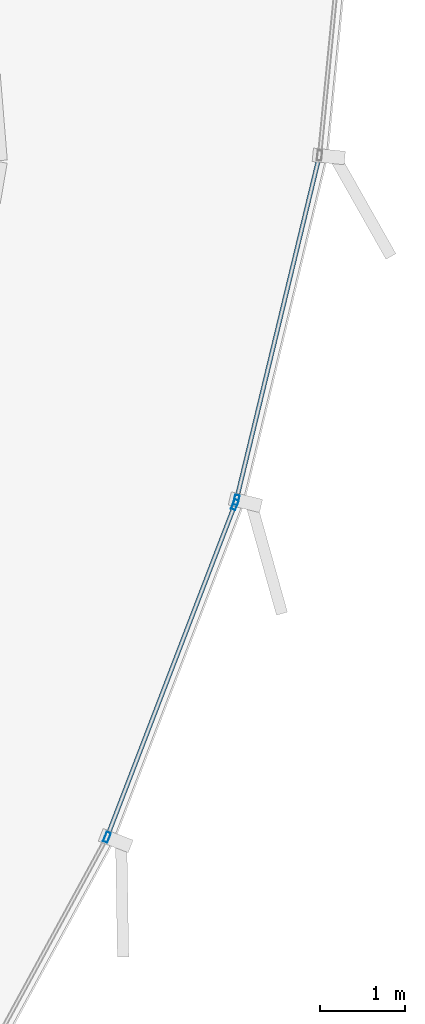
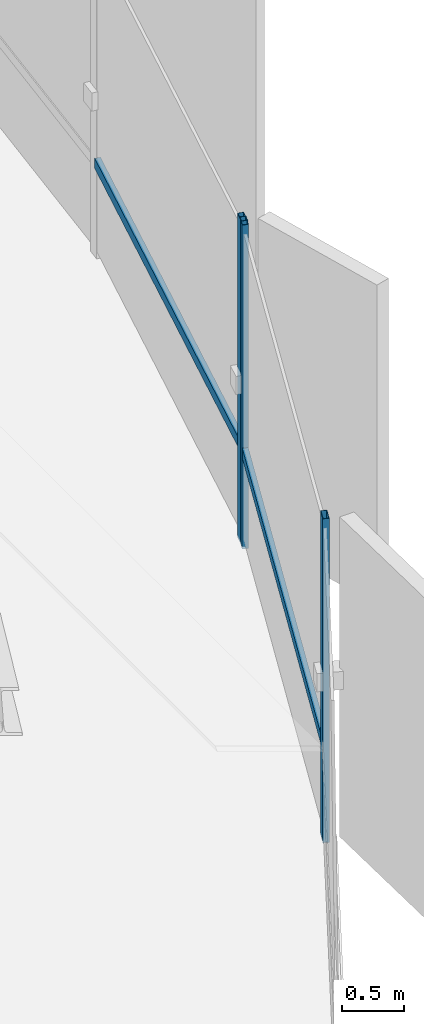
# One storey, part 15 of 33: 5 members, 2 elements without a shape of their own.
"""IFC4 building model written with IfcOpenShell, lengths in metres."""

from ifc_helpers import new_model, si_unit, direction, frame, origin, origin_2d, place, context, subcontext, project, spatial, hollow_rectangle, extrude, source, transform, mapped, material, layer, layer_set, material_profile, profile_set, type_object, element, aggregate, save


model = new_model("IFC4")

# Units and contexts
model_context = context("Model", 3, precision=1e-05, world=origin(), true_north=direction((0.0, 1.0)))
body_context = subcontext(model_context, "Body", "Model", "MODEL_VIEW")
ifc_project = project(units=[si_unit("LENGTHUNIT", "METRE"), si_unit("AREAUNIT", "SQUARE_METRE"), si_unit("VOLUMEUNIT", "CUBIC_METRE"), si_unit("PLANEANGLEUNIT", "RADIAN"), si_unit("MASSUNIT", "GRAM", prefix="KILO"), si_unit("THERMODYNAMICTEMPERATUREUNIT", "KELVIN")], contexts=[model_context])

# Site, building, storey
site_placement = place(None, origin())
site = spatial("IfcSite", under=ifc_project, at=site_placement, CompositionType="ELEMENT")
building_placement = place(site_placement, origin())
building = spatial("IfcBuilding", under=site, at=building_placement, Name="Kethvar Cultural Tower", CompositionType="ELEMENT")
storey_placement = place(building_placement, frame((0.0, 0.0, 235.300048828125)))
storey = spatial("IfcBuildingStorey", under=building, at=storey_placement, Name="L61", CompositionType="ELEMENT", Elevation=235.300048828125)

# Curtain wall, members
ifc_material = material(Name="Aluminium 6063-T6", Category="aluminium")
ifc_layer = layer(ifc_material, 0.179931640625, Name="Aluminium 6063-T6", Category="aluminium")
ifc_layer_set = layer_set([ifc_layer], Name="Aluminium 6063-T6 (180 mm)")
curtain_wall_type = type_object("IfcCurtainWallType", Name="CW-SYS-05-Z56", PredefinedType="NOTDEFINED", material=ifc_layer_set)
curtain_wall_1_placement = place(storey_placement, origin())
curtain_wall_1 = element("IfcCurtainWall", 1, at=curtain_wall_1_placement, inside=storey, type_object=curtain_wall_type, Name="L61 Curtain Wall Run 05", PredefinedType="NOTDEFINED")
ifc_material_profile_1 = material_profile(ifc_material, hollow_rectangle(XDim=0.054931640625, YDim=0.1201171875, WallThickness=0.00390625, at=origin_2d()), Name="Aluminium 6063-T6 — RHS120x55x4")
ifc_profile_set_1 = profile_set([ifc_material_profile_1], Name="Aluminium 6063-T6 — RHS120x55x4")
member_type_1 = type_object("IfcMemberType", Name="CW-SYS-05-Z56-MUL", PredefinedType="MULLION", material=ifc_profile_set_1)
shared_shape_1 = source(origin(), body_context, "Body", "SweptSolid", [
    extrude(hollow_rectangle(XDim=0.054931640625, YDim=0.1201171875, WallThickness=0.00390625, at=origin_2d()), origin(), (0.0, 0.0, 1.0), 3.2099609375),
])
member_1_placement = place(storey_placement, frame((65.74755859375, 22.35693359375, 0.0), z_axis=(0.0, 0.0, 1.0), x_axis=(-0.933317478266, 0.359052203396, 0.0)))
member_1 = element("IfcMember", 2, at=member_1_placement, type_object=member_type_1, Name="CW-L61-R05 Mullion 6", PredefinedType="MULLION", context=body_context, shape_type="MappedRepresentation", body=[
    mapped(shared_shape_1, transform((0.0, 0.0, 0.0), scale=1.0)),
])
member_2_placement = place(storey_placement, frame((67.2587890625, 26.285400390625, 0.0), z_axis=(0.0, 0.0, 1.0), x_axis=(-0.933317478266, 0.359052203396, 0.0)))
member_2 = element("IfcMember", 3, at=member_2_placement, type_object=member_type_1, Name="CW-L61-R05 Mullion 7", PredefinedType="MULLION", context=body_context, shape_type="MappedRepresentation", body=[
    mapped(shared_shape_1, transform((0.0, 0.0, 0.0), scale=1.0)),
])

# Curtain wall, member
curtain_wall_2_placement = place(storey_placement, origin())
curtain_wall_2 = element("IfcCurtainWall", 4, at=curtain_wall_2_placement, inside=storey, type_object=curtain_wall_type, Name="L61 Curtain Wall Run 06", PredefinedType="NOTDEFINED")
member_3_placement = place(storey_placement, frame((67.276123046875, 26.341064453125, 0.0), z_axis=(0.0, 0.0, 1.0), x_axis=(-0.97212901588, 0.234446532252, 0.0)))
member_3 = element("IfcMember", 5, at=member_3_placement, type_object=member_type_1, Name="CW-L61-R06 Mullion 1", PredefinedType="MULLION", context=body_context, shape_type="MappedRepresentation", body=[
    mapped(shared_shape_1, transform((0.0, 0.0, 0.0), scale=1.0)),
])

# Member
ifc_material_profile_2 = material_profile(ifc_material, hollow_rectangle(XDim=0.050048828125, YDim=0.10009765625, WallThickness=0.00390625, at=origin_2d()), Name="Aluminium 6063-T6 — RHS100x50x4")
ifc_profile_set_2 = profile_set([ifc_material_profile_2], Name="Aluminium 6063-T6 — RHS100x50x4")
member_type_2 = type_object("IfcMemberType", Name="CW-SYS-05-Z56-TRN", PredefinedType="USERDEFINED", material=ifc_profile_set_2)
shared_shape_2 = source(origin(), body_context, "Body", "SweptSolid", [
    extrude(hollow_rectangle(XDim=0.050048828125, YDim=0.10009765625, WallThickness=0.00390625, at=origin_2d()), origin(), (0.0, 0.0, 1.0), 4.165771484375),
])
member_4_placement = place(storey_placement, frame((65.76171875, 22.393798828125, 0.949951171875), z_axis=(0.359030133843, 0.933325968241, 0.0), x_axis=(-0.933325968241, 0.359030133843, 0.0)))
member_4 = element("IfcMember", 6, at=member_4_placement, type_object=member_type_2, Name="CW-L61-R05 Transom 6", ObjectType="TRANSOM", PredefinedType="USERDEFINED", context=body_context, shape_type="MappedRepresentation", body=[
    mapped(shared_shape_2, transform((0.0, 0.0, 0.0), scale=1.0)),
])

aggregate(curtain_wall_1, [member_1, member_2, member_4])

shared_shape_3 = source(origin(), body_context, "Body", "SweptSolid", [
    extrude(hollow_rectangle(XDim=0.050048828125, YDim=0.10009765625, WallThickness=0.00390625, at=origin_2d()), origin(), (0.0, 0.0, 1.0), 4.15625),
])
member_5_placement = place(storey_placement, frame((67.277099609375, 26.3447265625, 0.949951171875), z_axis=(0.234428076458, 0.972133466644, 0.0), x_axis=(-0.972133466644, 0.234428076458, 0.0)))
member_5 = element("IfcMember", 7, at=member_5_placement, type_object=member_type_2, Name="CW-L61-R06 Transom 1", ObjectType="TRANSOM", PredefinedType="USERDEFINED", context=body_context, shape_type="MappedRepresentation", body=[
    mapped(shared_shape_3, transform((0.0, 0.0, 0.0), scale=1.0)),
])

aggregate(curtain_wall_2, [member_3, member_5])

save(model, "model.ifc")
